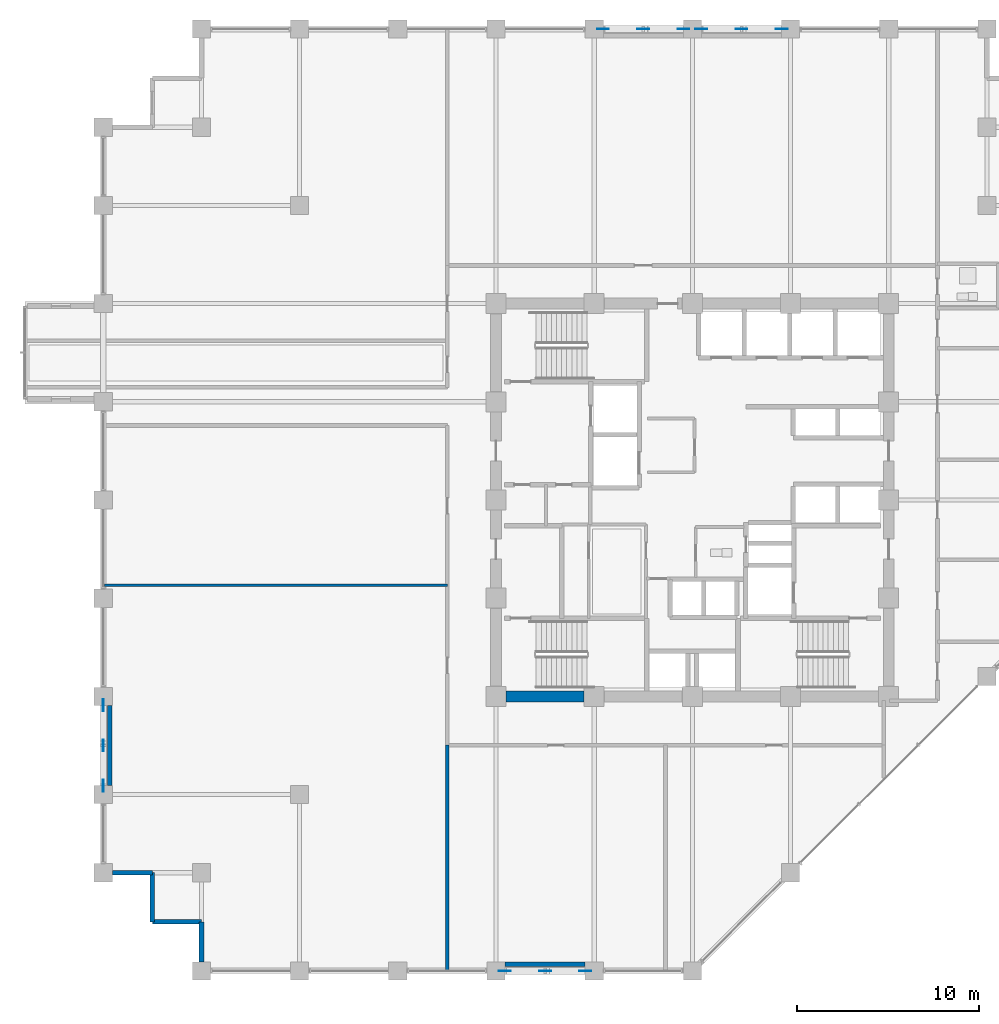
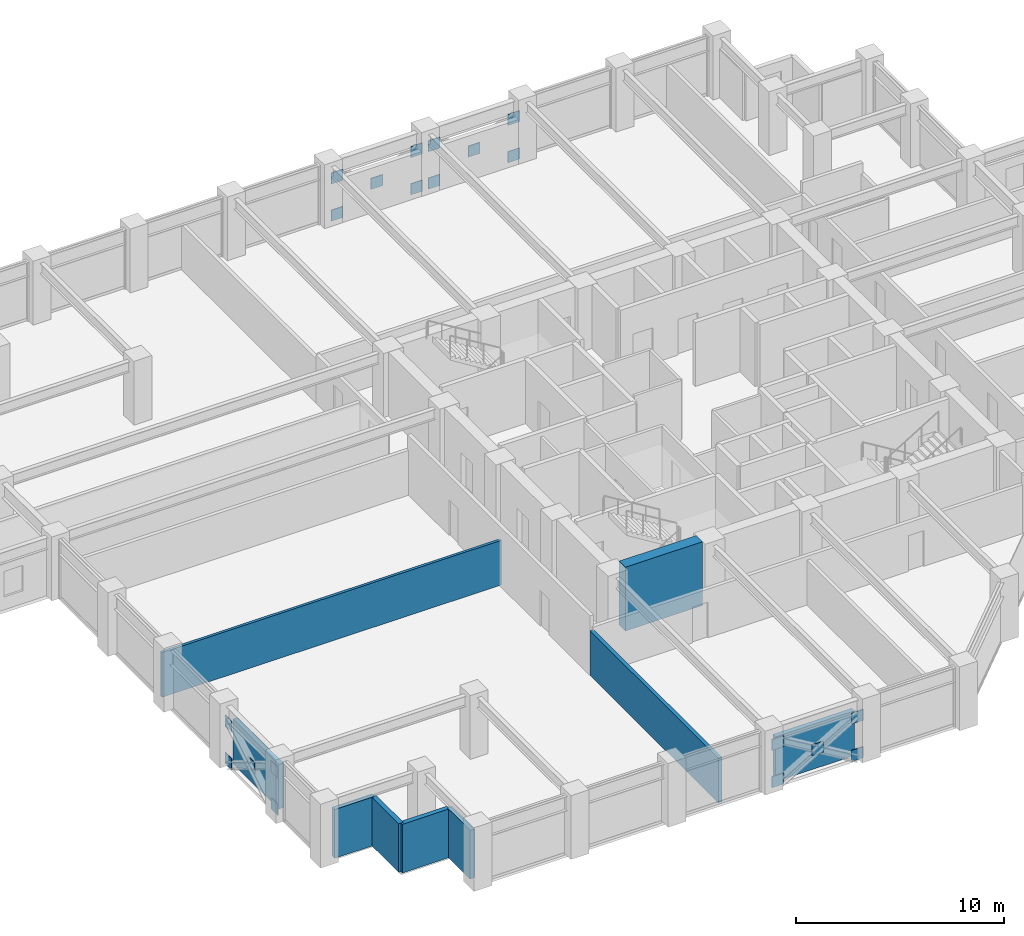
# One storey, part 21 of 29: 20 plates, 9 walls.
"""IFC4 building model written with IfcOpenShell, lengths in metres."""

from ifc_helpers import new_model, si_unit, direction, frame, frame_2d, origin, origin_2d, place, context, subcontext, project, spatial, rectangle, extrude, material, layer, layer_set, type_object, element, save


model = new_model("IFC4")

# Units and contexts
model_context = context("Model", 3, precision=1e-05, world=origin(), true_north=direction((0.0, 1.0)))
body_context = subcontext(model_context, "Body", "Model", "MODEL_VIEW")
ifc_project = project(units=[si_unit("LENGTHUNIT", "METRE"), si_unit("AREAUNIT", "SQUARE_METRE"), si_unit("VOLUMEUNIT", "CUBIC_METRE"), si_unit("PLANEANGLEUNIT", "RADIAN"), si_unit("MASSUNIT", "GRAM", prefix="KILO")], contexts=[model_context])

# Site, building, storey
site_placement = place(None, origin())
site = spatial("IfcSite", under=ifc_project, at=site_placement, CompositionType="ELEMENT")
building_placement = place(site_placement, origin())
building = spatial("IfcBuilding", under=site, at=building_placement, Name="Surkhivell Harbour Commons", CompositionType="ELEMENT")
storey_placement = place(building_placement, frame((0.0, 0.0, 158.25)))
storey = spatial("IfcBuildingStorey", under=building, at=storey_placement, Name="L41", CompositionType="ELEMENT", Elevation=158.25)

# Plates
ifc_material_1 = material(Name="Steel S460", Category="steel")
ifc_layer_1 = layer(ifc_material_1, 0.044921875)
ifc_layer_set_1 = layer_set([ifc_layer_1], Name="Steel S460")
plate_type = type_object("IfcPlateType", Name="PLT-GUS-650", PredefinedType="USERDEFINED", material=ifc_layer_set_1)
for number, where, z_axis, x_axis, name in (
    (1, (-4.9150390625, 25.89990234375, -0.08935546875), (0.0, 0.0, 1.0), (1.0, 0.0, 0.0), "L41 Perimeter Mega-Brace MB- Corner Gusset N-1"),
    (2, (-0.485107421875, 25.89990234375, -0.08935546875), (0.0, 0.0, 1.0), (1.0, 0.0, 0.0), "L41 Perimeter Mega-Brace MB- Corner Gusset N-2"),
    (3, (-4.9150390625, 25.89990234375, 2.1005859375), (0.0, 0.0, 1.0), (1.0, 0.0, 0.0), "L41 Perimeter Mega-Brace MB- Corner Gusset N-3"),
    (4, (-0.485107421875, 25.89990234375, 2.1005859375), (0.0, 0.0, 1.0), (1.0, 0.0, 0.0), "L41 Perimeter Mega-Brace MB- Corner Gusset N-4"),
    (5, (-2.699951171875, 25.89990234375, 1.005615234375), (0.0, 0.0, 1.0), (1.0, 0.0, 0.0), "L41 Perimeter Mega-Brace MB- Central Crossing Gusset N"),
    (6, (0.485107421875, 25.89990234375, -0.08935546875), (0.0, 0.0, 1.0), (1.0, 0.0, 0.0), "L41 Perimeter Mega-Brace MB- Corner Gusset N2-1"),
    (7, (4.9150390625, 25.89990234375, -0.08935546875), (0.0, 0.0, 1.0), (1.0, 0.0, 0.0), "L41 Perimeter Mega-Brace MB- Corner Gusset N2-2"),
    (8, (0.485107421875, 25.89990234375, 2.1005859375), (0.0, 0.0, 1.0), (1.0, 0.0, 0.0), "L41 Perimeter Mega-Brace MB- Corner Gusset N2-3"),
    (9, (4.9150390625, 25.89990234375, 2.1005859375), (0.0, 0.0, 1.0), (1.0, 0.0, 0.0), "L41 Perimeter Mega-Brace MB- Corner Gusset N2-4"),
    (10, (2.699951171875, 25.89990234375, 1.005615234375), (0.0, 0.0, 1.0), (1.0, 0.0, 0.0), "L41 Perimeter Mega-Brace MB- Central Crossing Gusset N2"),
    (11, (-10.31494140625, -25.89990234375, -0.08935546875), (0.0, 0.0, 1.0), (1.0, 0.0, 0.0), "L41 Perimeter Mega-Brace MB- Corner Gusset S-1"),
    (12, (-5.885009765625, -25.89990234375, -0.08935546875), (0.0, 0.0, 1.0), (1.0, 0.0, 0.0), "L41 Perimeter Mega-Brace MB- Corner Gusset S-2"),
    (13, (-10.31494140625, -25.89990234375, 2.1005859375), (0.0, 0.0, 1.0), (1.0, 0.0, 0.0), "L41 Perimeter Mega-Brace MB- Corner Gusset S-3"),
    (14, (-5.885009765625, -25.89990234375, 2.1005859375), (0.0, 0.0, 1.0), (1.0, 0.0, 0.0), "L41 Perimeter Mega-Brace MB- Corner Gusset S-4"),
    (15, (-8.10009765625, -25.89990234375, 1.005615234375), (0.0, 0.0, 1.0), (1.0, 0.0, 0.0), "L41 Perimeter Mega-Brace MB- Central Crossing Gusset S"),
    (16, (-32.39990234375, -15.715087890625, -0.08935546875), (0.0, 0.0, 1.0), (0.0, 1.0, 0.0), "L41 Perimeter Mega-Brace MB- Corner Gusset W-1"),
    (17, (-32.39990234375, -11.284912109375, -0.08935546875), (0.0, 0.0, 1.0), (0.0, 1.0, 0.0), "L41 Perimeter Mega-Brace MB- Corner Gusset W-2"),
    (18, (-32.39990234375, -15.715087890625, 2.1005859375), (0.0, 0.0, 1.0), (0.0, 1.0, 0.0), "L41 Perimeter Mega-Brace MB- Corner Gusset W-3"),
    (19, (-32.39990234375, -11.284912109375, 2.1005859375), (0.0, 0.0, 1.0), (0.0, 1.0, 0.0), "L41 Perimeter Mega-Brace MB- Corner Gusset W-4"),
    (20, (-32.39990234375, -13.5, 1.005615234375), (0.0, 0.0, 1.0), (0.0, 1.0, 0.0), "L41 Perimeter Mega-Brace MB- Central Crossing Gusset W"),
):
    element("IfcPlate", number, at=place(storey_placement, frame(where, z_axis=z_axis, x_axis=x_axis)), inside=storey, type_object=plate_type, Name=name, ObjectType="GUSSET_PLATE", PredefinedType="USERDEFINED", context=body_context, shape_type="SweptSolid", body=[
        extrude(rectangle(XDim=0.64990234375, YDim=0.044921875, at=origin_2d()), origin(), (0.0, 0.0, 1.0), 0.64990234375),
    ])

# Walls
ifc_material_2 = material(Name="Concrete C60/75", Category="concrete")
ifc_layer_2 = layer(ifc_material_2, 0.60009765625)
ifc_layer_set_2 = layer_set([ifc_layer_2], Name="Concrete C60/75")
wall_type_1 = type_object("IfcWallType", Name="WAL-CORE-600", PredefinedType="SHEAR", material=ifc_layer_set_2)
wall_1_placement = place(storey_placement, frame((-10.239990234375, -10.800048828125, 0.0), z_axis=(0.0, 0.0, 1.0), x_axis=(1.0, 0.0, 0.0)))
element("IfcWall", 21, at=wall_1_placement, inside=storey, type_object=wall_type_1, Name="L41 Core Shear Wall South 1", PredefinedType="SHEAR", context=body_context, shape_type="SweptSolid", body=[
    extrude(rectangle(XDim=4.280029296875, YDim=0.60009765625, at=frame_2d((2.14013671875, 0.0))), origin(), (0.0, 0.0, 1.0), 3.75),
])
ifc_material_3 = material(Name="Pale-metal insulated precast concrete C45/55", Category="concrete")
ifc_layer_3 = layer(ifc_material_3, 0.260009765625)
ifc_layer_set_3 = layer_set([ifc_layer_3], Name="Pale-metal insulated precast concrete C45/55")
wall_type_2 = type_object("IfcWallType", Name="WAL-EXT-MTL260", PredefinedType="STANDARD", material=ifc_layer_set_3)
wall_2_placement = place(storey_placement, frame((-10.302001953125, -25.5400390625, 0.0), z_axis=(0.0, 0.0, 1.0), x_axis=(1.0, 0.0, 0.0)))
element("IfcWall", 22, at=wall_2_placement, inside=storey, type_object=wall_type_2, Name="L41 Braced-Bay Insulated Spandrel Backing S", PredefinedType="STANDARD", context=body_context, shape_type="SweptSolid", body=[
    extrude(rectangle(XDim=4.404052734375, YDim=0.260009765625, at=frame_2d((2.2021484375, 0.0))), origin(), (0.0, 0.0, 1.0), 2.62890625),
])
wall_3_placement = place(storey_placement, frame((-32.0400390625, -15.701904296875, 0.0), z_axis=(0.0, 0.0, 1.0), x_axis=(0.0, 1.0, 0.0)))
element("IfcWall", 23, at=wall_3_placement, inside=storey, type_object=wall_type_2, Name="L41 Braced-Bay Insulated Spandrel Backing W", PredefinedType="STANDARD", context=body_context, shape_type="SweptSolid", body=[
    extrude(rectangle(XDim=4.40380859375, YDim=0.260009765625, at=frame_2d((2.201904296875, 0.0))), origin(), (0.0, 0.0, 1.0), 2.62890625),
])
wall_4_placement = place(storey_placement, frame((-31.902099609375, -20.5, 0.0), z_axis=(0.0, 0.0, 1.0), x_axis=(1.0, 0.0, 0.0)))
element("IfcWall", 24, at=wall_4_placement, inside=storey, type_object=wall_type_2, Name="L41 Serrated Corner Facade Wall 13", PredefinedType="STANDARD", context=body_context, shape_type="SweptSolid", body=[
    extrude(rectangle(XDim=2.2021484375, YDim=0.260009765625, at=frame_2d((1.10107421875, 0.0))), origin(), (0.0, 0.0, 1.0), 2.863037109375),
])
for number, where, z_axis, x_axis, name in (
    (25, (-29.699951171875, -20.5, 0.0), (0.0, 0.0, 1.0), (0.0, -1.0, 0.0), "L41 Serrated Corner Facade Wall 14"),
    (26, (-29.699951171875, -23.199951171875, 0.0), (0.0, 0.0, 1.0), (1.0, 0.0, 0.0), "L41 Serrated Corner Facade Wall 15"),
):
    element("IfcWall", number, at=place(storey_placement, frame(where, z_axis=z_axis, x_axis=x_axis)), inside=storey, type_object=wall_type_2, Name=name, PredefinedType="STANDARD", context=body_context, shape_type="SweptSolid", body=[
        extrude(rectangle(XDim=2.699951171875, YDim=0.260009765625, at=frame_2d((1.35009765625, 0.0))), origin(), (0.0, 0.0, 1.0), 2.863037109375),
    ])
wall_5_placement = place(storey_placement, frame((-27.0, -23.199951171875, 0.0), z_axis=(0.0, 0.0, 1.0), x_axis=(0.0, -1.0, 0.0)))
element("IfcWall", 27, at=wall_5_placement, inside=storey, type_object=wall_type_2, Name="L41 Serrated Corner Facade Wall 16", PredefinedType="STANDARD", context=body_context, shape_type="SweptSolid", body=[
    extrude(rectangle(XDim=2.2021484375, YDim=0.260009765625, at=frame_2d((1.10107421875, 0.0))), origin(), (0.0, 0.0, 1.0), 2.863037109375),
])
ifc_material_4 = material(Name="Twin-stud acoustic fireboard partition", Category="other")
ifc_layer_4 = layer(ifc_material_4, 0.14990234375)
ifc_layer_set_4 = layer_set([ifc_layer_4], Name="Twin-stud acoustic fireboard partition")
wall_type_3 = type_object("IfcWallType", Name="WAL-INT-150", PredefinedType="PARTITIONING", material=ifc_layer_set_4)
wall_6_placement = place(storey_placement, frame((-32.340087890625, -4.68994140625, 0.0), z_axis=(0.0, 0.0, 1.0), x_axis=(1.0, 0.0, 0.0)))
element("IfcWall", 28, at=wall_6_placement, inside=storey, type_object=wall_type_3, Name="L41 South-West Partition P1", PredefinedType="PARTITIONING", context=body_context, shape_type="SweptSolid", body=[
    extrude(rectangle(XDim=18.860107421875, YDim=0.14990234375, at=frame_2d((9.43017578125, 0.0))), origin(), (0.0, 0.0, 1.0), 2.62890625),
])
ifc_material_5 = material(Name="Autoclaved aerated concrete blockwork and fire plaster", Category="masonry")
ifc_layer_5 = layer(ifc_material_5, 0.199951171875)
ifc_layer_set_5 = layer_set([ifc_layer_5], Name="Autoclaved aerated concrete blockwork and fire plaster")
wall_type_4 = type_object("IfcWallType", Name="WAL-INT-200", PredefinedType="PARTITIONING", material=ifc_layer_set_5)
wall_7_placement = place(storey_placement, frame((-13.47998046875, -25.840087890625, 0.0), z_axis=(0.0, 0.0, 1.0), x_axis=(0.0, 1.0, 0.0)))
element("IfcWall", 29, at=wall_7_placement, inside=storey, type_object=wall_type_4, Name="L41 South-West Wing Corner Divider", PredefinedType="PARTITIONING", context=body_context, shape_type="SweptSolid", body=[
    extrude(rectangle(XDim=12.360107421875, YDim=0.199951171875, at=frame_2d((6.18017578125, 0.0))), origin(), (0.0, 0.0, 1.0), 2.62890625),
])

save(model, "model.ifc")
